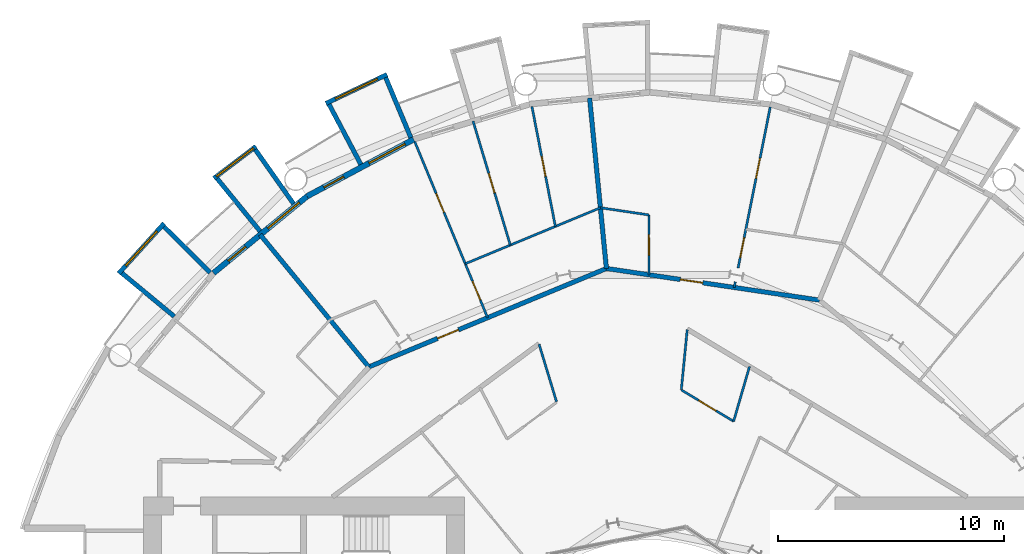
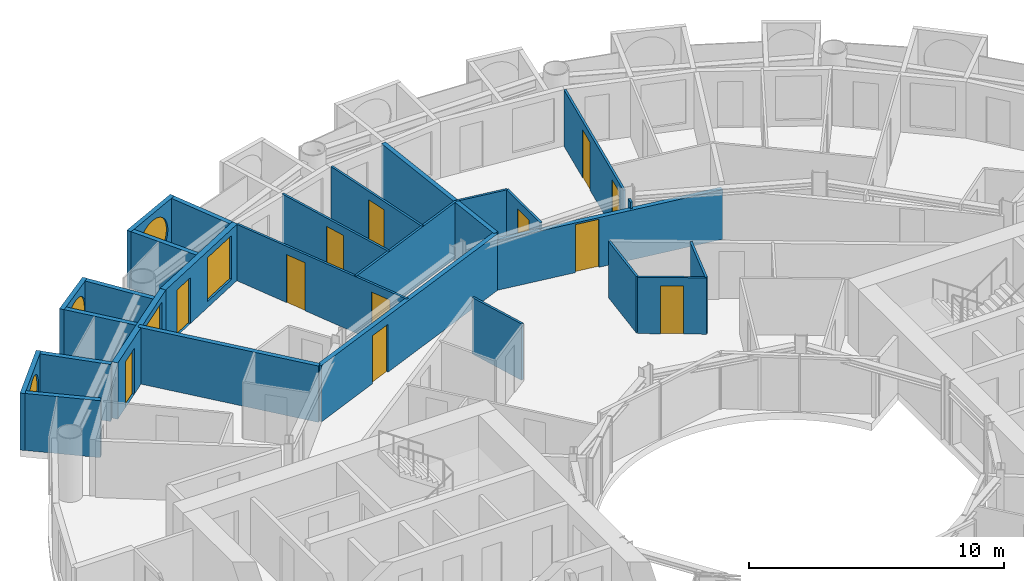
# One storey, part 19 of 26: 27 walls, 12 doors, 5 windows, 17 openings.
"""IFC4 building model written with IfcOpenShell, lengths in metres."""

from ifc_helpers import new_model, si_unit, direction, frame, frame_2d, origin, place, context, subcontext, project, spatial, rectangle, circle, extrude, material, layer, layer_set, type_object, element, fill, save


model = new_model("IFC4")

# Units and contexts
model_context = context("Model", 3, precision=1e-05, world=origin(), true_north=direction((0.0, 1.0)))
body_context = subcontext(model_context, "Body", "Model", "MODEL_VIEW")
ifc_project = project(units=[si_unit("LENGTHUNIT", "METRE"), si_unit("AREAUNIT", "SQUARE_METRE"), si_unit("VOLUMEUNIT", "CUBIC_METRE"), si_unit("PLANEANGLEUNIT", "RADIAN"), si_unit("MASSUNIT", "GRAM", prefix="KILO")], contexts=[model_context])

# Site, building, storey
site_placement = place(None, origin())
site = spatial("IfcSite", under=ifc_project, at=site_placement, CompositionType="ELEMENT")
building_placement = place(site_placement, origin())
building = spatial("IfcBuilding", under=site, at=building_placement, Name="Maasbend Ring Residences", CompositionType="ELEMENT")
storey_placement = place(building_placement, frame((0.0, 0.0, 47.199951171875)))
storey = spatial("IfcBuildingStorey", under=building, at=storey_placement, Name="L13", CompositionType="ELEMENT", Elevation=47.199951171875)

# Wall, opening, door
ifc_material_1 = material(Name="Concrete C30/37", Category="concrete")
ifc_layer_1 = layer(ifc_material_1, 0.199951171875)
ifc_layer_set_1 = layer_set([ifc_layer_1], Name="Concrete C30/37")
wall_type_1 = type_object("IfcWallType", Name="CORRIDOR WALL 200 CONCRETE", PredefinedType="PARTITIONING", material=ifc_layer_set_1)
wall_1_placement = place(storey_placement, frame((-12.43505859375, 15.14990234375, 0.0), z_axis=(0.0, 0.0, 1.0), x_axis=(0.923845560554, 0.38276543763, 0.0)))
wall_1 = element("IfcWall", 1, at=wall_1_placement, inside=storey, type_object=wall_type_1, Name="U-L13-w092", PredefinedType="PARTITIONING", context=body_context, shape_type="SweptSolid", body=[
    extrude(rectangle(XDim=11.380859375, YDim=0.199951171875, at=frame_2d((5.6904296875, 0.0))), origin(), (0.0, 0.0, 1.0), 2.699951171875),
])
opening_1_placement = place(wall_1_placement, frame((3.29296875, 0.0, 0.0)))
opening_1 = element("IfcOpeningElement", 2, at=opening_1_placement, cuts=wall_1, Name="Opening D-1312", PredefinedType="OPENING", context=body_context, shape_type="SweptSolid", body=[
    extrude(rectangle(XDim=1.0, YDim=2.300048828125, at=frame_2d((0.5, 1.14990234375))), frame((0.0, 0.10986328125, 0.0), z_axis=(0.0, -1.0, 0.0), x_axis=(1.0, 0.0, 0.0)), (0.0, 0.0, 1.0), 0.219970703125),
])
ifc_material_2 = material(Name="Timber, fire-rated, painted", Category="wood")
door_type_1 = type_object("IfcDoorType", Name="FLAT ENTRANCE DOOR 1000 X 2300 FIRE-RATED", OperationType="NOTDEFINED", PredefinedType="DOOR", material=ifc_material_2)
door_1_placement = place(opening_1_placement, origin())
door_1 = element("IfcDoor", 3, at=door_1_placement, inside=storey, type_object=door_type_1, Name="D-1312", OperationType="SINGLE_SWING_LEFT", OverallHeight=2.300048828125, OverallWidth=1.0, PredefinedType="DOOR", context=body_context, shape_type="SweptSolid", body=[
    extrude(rectangle(XDim=1.0, YDim=2.300048828125, at=frame_2d((0.5, 1.14990234375))), frame((0.0, 0.02490234375, 0.0), z_axis=(0.0, -1.0, 0.0), x_axis=(1.0, 0.0, 0.0)), (0.0, 0.0, 1.0), 0.050048828125),
])
fill(opening_1, door_1)

wall_2_placement = place(storey_placement, frame((-1.9208984375, 19.506103515625, 0.0), z_axis=(0.0, 0.0, 1.0), x_axis=(0.989134446023, -0.147013767014, 0.0)))
wall_2 = element("IfcWall", 4, at=wall_2_placement, inside=storey, type_object=wall_type_1, Name="U-L13-w094", PredefinedType="PARTITIONING", context=body_context, shape_type="SweptSolid", body=[
    extrude(rectangle(XDim=9.530517578125, YDim=0.199951171875, at=frame_2d((4.76513671875, 0.0))), origin(), (0.0, 0.0, 1.0), 2.380126953125),
])
opening_2_placement = place(wall_2_placement, frame((3.31005859375, 0.0, 0.0)))
opening_2 = element("IfcOpeningElement", 5, at=opening_2_placement, cuts=wall_2, Name="Opening D-1307", PredefinedType="OPENING", context=body_context, shape_type="SweptSolid", body=[
    extrude(rectangle(XDim=1.0, YDim=2.300048828125, at=frame_2d((0.5, 1.14990234375))), frame((0.0, 0.10986328125, 0.0), z_axis=(0.0, -1.0, 0.0), x_axis=(1.0, 0.0, 0.0)), (0.0, 0.0, 1.0), 0.219970703125),
])
door_2_placement = place(opening_2_placement, origin())
door_2 = element("IfcDoor", 6, at=door_2_placement, inside=storey, type_object=door_type_1, Name="D-1307", OperationType="SINGLE_SWING_LEFT", OverallHeight=2.300048828125, OverallWidth=1.0, PredefinedType="DOOR", context=body_context, shape_type="SweptSolid", body=[
    extrude(rectangle(XDim=1.0, YDim=2.300048828125, at=frame_2d((0.5, 1.14990234375))), frame((0.0, 0.02490234375, 0.0), z_axis=(0.0, -1.0, 0.0), x_axis=(1.0, 0.0, 0.0)), (0.0, 0.0, 1.0), 0.050048828125),
])
fill(opening_2, door_2)

# Wall, opening, window
ifc_material_3 = material(Name="Pale anodised aluminium panel", Category="aluminium")
ifc_layer_2 = layer(ifc_material_3, 0.199951171875)
ifc_layer_set_2 = layer_set([ifc_layer_2], Name="EW-BOX")
wall_type_2 = type_object("IfcWallType", Name="EW-BOX", PredefinedType="SOLIDWALL", material=ifc_layer_set_2)
wall_3_placement = place(storey_placement, frame((-11.62890625, 28.087890625, -0.030029296875), z_axis=(0.0, 0.0, 1.0), x_axis=(-0.904000060331, -0.427532327342, 0.0)))
wall_3 = element("IfcWall", 7, at=wall_3_placement, inside=storey, type_object=wall_type_2, Name="Box front N15", PredefinedType="SOLIDWALL", context=body_context, shape_type="SweptSolid", body=[
    extrude(rectangle(XDim=2.993408203125, YDim=0.199951171875, at=frame_2d((1.49658203125, 0.0))), origin(), (0.0, 0.0, 1.0), 2.72998046875),
])
opening_3_placement = place(wall_3_placement, frame((0.45654296875, 0.0, 0.330078125)))
opening_3 = element("IfcOpeningElement", 8, at=opening_3_placement, cuts=wall_3, Name="Opening W-RD", PredefinedType="OPENING", context=body_context, shape_type="SweptSolid", body=[
    extrude(circle(Radius=1.0400390625, at=frame_2d((1.0400390625, 1.0400390625))), frame((0.0, 0.10986328125, 0.0), z_axis=(0.0, -1.0, 0.0), x_axis=(1.0, 0.0, 0.0)), (0.0, 0.0, 1.0), 0.219970703125),
])
ifc_material_4 = material(Name="Aluminium and clear glass", Category="aluminium")
window_type_1 = type_object("IfcWindowType", Name="W-RD", PartitioningType="SINGLE_PANEL", PredefinedType="WINDOW", material=ifc_material_4)
window_1_placement = place(opening_3_placement, origin())
window_1 = element("IfcWindow", 9, at=window_1_placement, inside=storey, type_object=window_type_1, Name="Round window N15", OverallHeight=2.080078125, OverallWidth=2.080078125, PartitioningType="SINGLE_PANEL", PredefinedType="WINDOW", context=body_context, shape_type="SweptSolid", body=[
    extrude(circle(Radius=1.0400390625, at=frame_2d((1.0400390625, 1.0400390625))), frame((0.0, 0.030029296875, 0.0), z_axis=(0.0, -1.0, 0.0), x_axis=(1.0, 0.0, 0.0)), (0.0, 0.0, 1.0), 0.06005859375),
])
fill(opening_3, window_1)

# Walls
wall_4_placement = place(storey_placement, frame((-10.574951171875, 25.294921875, -0.030029296875), z_axis=(0.0, 0.0, 1.0), x_axis=(-0.385697364644, 0.922625353492, 0.0)))
element("IfcWall", 10, at=wall_4_placement, inside=storey, type_object=wall_type_2, Name="Box side wall N15 left", PredefinedType="SOLIDWALL", context=body_context, shape_type="SweptSolid", body=[
    extrude(rectangle(XDim=2.88330078125, YDim=0.199951171875, at=frame_2d((1.441650390625, 0.0))), origin(), (0.0, 0.0, 1.0), 2.72998046875),
])
wall_5_placement = place(storey_placement, frame((-12.787109375, 24.113037109375, -0.030029296875), z_axis=(0.0, 0.0, 1.0), x_axis=(-0.468365282436, 0.883534924159, 0.0)))
element("IfcWall", 11, at=wall_5_placement, inside=storey, type_object=wall_type_2, Name="Box side wall N15 right", PredefinedType="SOLIDWALL", context=body_context, shape_type="SweptSolid", body=[
    extrude(rectangle(XDim=3.006103515625, YDim=0.199951171875, at=frame_2d((1.5029296875, 0.0))), origin(), (0.0, 0.0, 1.0), 2.72998046875),
])

# Wall, opening, window
wall_6_placement = place(storey_placement, frame((-17.427001953125, 24.908935546875, -0.030029296875), z_axis=(0.0, 0.0, 1.0), x_axis=(-0.796842165306, -0.60418752353, 0.0)))
wall_6 = element("IfcWall", 12, at=wall_6_placement, inside=storey, type_object=wall_type_2, Name="Box front N17", PredefinedType="SOLIDWALL", context=body_context, shape_type="SweptSolid", body=[
    extrude(rectangle(XDim=2.3369140625, YDim=0.199951171875, at=frame_2d((1.16845703125, 0.0))), origin(), (0.0, 0.0, 1.0), 2.72998046875),
])
opening_4_placement = place(wall_6_placement, frame((0.128173828125, 0.0, 0.330078125)))
opening_4 = element("IfcOpeningElement", 13, at=opening_4_placement, cuts=wall_6, Name="Opening W-RD", PredefinedType="OPENING", context=body_context, shape_type="SweptSolid", body=[
    extrude(circle(Radius=1.0400390625, at=frame_2d((1.0400390625, 1.0400390625))), frame((0.0, 0.10986328125, 0.0), z_axis=(0.0, -1.0, 0.0), x_axis=(1.0, 0.0, 0.0)), (0.0, 0.0, 1.0), 0.219970703125),
])
window_2_placement = place(opening_4_placement, origin())
window_2 = element("IfcWindow", 14, at=window_2_placement, inside=storey, type_object=window_type_1, Name="Round window N17", OverallHeight=2.080078125, OverallWidth=2.080078125, PartitioningType="SINGLE_PANEL", PredefinedType="WINDOW", context=body_context, shape_type="SweptSolid", body=[
    extrude(circle(Radius=1.0400390625, at=frame_2d((1.0400390625, 1.0400390625))), frame((0.0, 0.030029296875, 0.0), z_axis=(0.0, -1.0, 0.0), x_axis=(1.0, 0.0, 0.0)), (0.0, 0.0, 1.0), 0.06005859375),
])
fill(opening_4, window_2)

# Walls
wall_7_placement = place(storey_placement, frame((-15.764892578125, 22.3701171875, -0.030029296875), z_axis=(0.0, 0.0, 1.0), x_axis=(-0.576274612209, 0.817256123454, 0.0)))
element("IfcWall", 15, at=wall_7_placement, inside=storey, type_object=wall_type_2, Name="Box side wall N17 left", PredefinedType="SOLIDWALL", context=body_context, shape_type="SweptSolid", body=[
    extrude(rectangle(XDim=2.932861328125, YDim=0.199951171875, at=frame_2d((1.46630859375, 0.0))), origin(), (0.0, 0.0, 1.0), 2.72998046875),
])
wall_8_placement = place(storey_placement, frame((-17.24609375, 21.155029296875, -0.030029296875), z_axis=(0.0, 0.0, 1.0), x_axis=(-0.631741648902, 0.775179004516, 0.0)))
element("IfcWall", 16, at=wall_8_placement, inside=storey, type_object=wall_type_2, Name="Box side wall N17 right", PredefinedType="SOLIDWALL", context=body_context, shape_type="SweptSolid", body=[
    extrude(rectangle(XDim=3.005859375, YDim=0.199951171875, at=frame_2d((1.5029296875, 0.0))), origin(), (0.0, 0.0, 1.0), 2.72998046875),
])

# Wall, opening, window
wall_9_placement = place(storey_placement, frame((-21.492919921875, 21.5, -0.030029296875), z_axis=(0.0, 0.0, 1.0), x_axis=(-0.671506829416, -0.740998365753, 0.0)))
wall_9 = element("IfcWall", 17, at=wall_9_placement, inside=storey, type_object=wall_type_2, Name="Box front N19", PredefinedType="SOLIDWALL", context=body_context, shape_type="SweptSolid", body=[
    extrude(rectangle(XDim=2.9931640625, YDim=0.199951171875, at=frame_2d((1.49658203125, 0.0))), origin(), (0.0, 0.0, 1.0), 2.72998046875),
])
opening_5_placement = place(wall_9_placement, frame((0.45654296875, 0.0, 0.330078125)))
opening_5 = element("IfcOpeningElement", 18, at=opening_5_placement, cuts=wall_9, Name="Opening W-RD", PredefinedType="OPENING", context=body_context, shape_type="SweptSolid", body=[
    extrude(circle(Radius=1.0400390625, at=frame_2d((1.0400390625, 1.0400390625))), frame((0.0, 0.10986328125, 0.0), z_axis=(0.0, -1.0, 0.0), x_axis=(1.0, 0.0, 0.0)), (0.0, 0.0, 1.0), 0.219970703125),
])
window_3_placement = place(opening_5_placement, origin())
window_3 = element("IfcWindow", 19, at=window_3_placement, inside=storey, type_object=window_type_1, Name="Round window N19", OverallHeight=2.080078125, OverallWidth=2.080078125, PartitioningType="SINGLE_PANEL", PredefinedType="WINDOW", context=body_context, shape_type="SweptSolid", body=[
    extrude(circle(Radius=1.0400390625, at=frame_2d((1.0400390625, 1.0400390625))), frame((0.0, 0.030029296875, 0.0), z_axis=(0.0, -1.0, 0.0), x_axis=(1.0, 0.0, 0.0)), (0.0, 0.0, 1.0), 0.06005859375),
])
fill(opening_5, window_3)

# Walls
wall_10_placement = place(storey_placement, frame((-19.449951171875, 19.322998046875, -0.030029296875), z_axis=(0.0, 0.0, 1.0), x_axis=(-0.709727076896, 0.704476739375, 0.0)))
element("IfcWall", 20, at=wall_10_placement, inside=storey, type_object=wall_type_2, Name="Box side wall N19 left", PredefinedType="SOLIDWALL", context=body_context, shape_type="SweptSolid", body=[
    extrude(rectangle(XDim=2.883056640625, YDim=0.199951171875, at=frame_2d((1.44140625, 0.0))), origin(), (0.0, 0.0, 1.0), 2.72998046875),
])
wall_11_placement = place(storey_placement, frame((-21.041015625, 17.384033203125, -0.030029296875), z_axis=(0.0, 0.0, 1.0), x_axis=(-0.770784861449, 0.63709551667, 0.0)))
element("IfcWall", 21, at=wall_11_placement, inside=storey, type_object=wall_type_2, Name="Box side wall N19 right", PredefinedType="SOLIDWALL", context=body_context, shape_type="SweptSolid", body=[
    extrude(rectangle(XDim=3.005859375, YDim=0.199951171875, at=frame_2d((1.5029296875, 0.0))), origin(), (0.0, 0.0, 1.0), 2.72998046875),
])

# Wall, openings, door, window
ifc_material_5 = material(Name="Aluminium clad insulated panel", Category="aluminium")
ifc_layer_3 = layer(ifc_material_5, 0.25)
ifc_layer_set_3 = layer_set([ifc_layer_3], Name="EW-GL")
wall_type_3 = type_object("IfcWallType", Name="EW-GL", PredefinedType="SOLIDWALL", material=ifc_layer_set_3)
wall_12_placement = place(storey_placement, frame((-10.447021484375, 25.221923828125, 0.0), z_axis=(0.0, 0.0, 1.0), x_axis=(-0.881915646801, -0.471407246368, 0.0)))
wall_12 = element("IfcWall", 22, at=wall_12_placement, inside=storey, type_object=wall_type_3, Name="External wall N08", PredefinedType="SOLIDWALL", context=body_context, shape_type="SweptSolid", body=[
    extrude(rectangle(XDim=5.35205078125, YDim=0.25, at=frame_2d((2.676025390625, 0.0))), origin(), (0.0, 0.0, 1.0), 2.699951171875),
])
opening_6_placement = place(wall_12_placement, frame((0.441162109375, 0.0, 0.300048828125)))
opening_6 = element("IfcOpeningElement", 23, at=opening_6_placement, cuts=wall_12, Name="Opening W-BX", PredefinedType="OPENING", context=body_context, shape_type="SweptSolid", body=[
    extrude(rectangle(XDim=1.800048828125, YDim=2.10009765625, at=frame_2d((0.89990234375, 1.050048828125))), frame((0.0, 0.135009765625, 0.0), z_axis=(0.0, -1.0, 0.0), x_axis=(1.0, 0.0, 0.0)), (0.0, 0.0, 1.0), 0.27001953125),
])
opening_7_placement = place(wall_12_placement, frame((3.510498046875, 0.0, 0.0)))
opening_7 = element("IfcOpeningElement", 24, at=opening_7_placement, cuts=wall_12, Name="Opening D-LG", PredefinedType="OPENING", context=body_context, shape_type="SweptSolid", body=[
    extrude(rectangle(XDim=1.0, YDim=2.199951171875, at=frame_2d((0.5, 1.10009765625))), frame((0.0, 0.135009765625, 0.0), z_axis=(0.0, -1.0, 0.0), x_axis=(1.0, 0.0, 0.0)), (0.0, 0.0, 1.0), 0.27001953125),
])
ifc_material_6 = material(Name="Aluminium and clear glass", Category="aluminium")
door_type_2 = type_object("IfcDoorType", Name="D-LG", OperationType="SINGLE_SWING_LEFT", PredefinedType="DOOR", material=ifc_material_6)
door_3_placement = place(opening_7_placement, origin())
door_3 = element("IfcDoor", 25, at=door_3_placement, inside=storey, type_object=door_type_2, Name="Loggia door N16", OperationType="SINGLE_SWING_LEFT", OverallHeight=2.199951171875, OverallWidth=1.0, PredefinedType="DOOR", context=body_context, shape_type="SweptSolid", body=[
    extrude(rectangle(XDim=1.0, YDim=2.199951171875, at=frame_2d((0.5, 1.10009765625))), frame((0.0, 0.02490234375, 0.0), z_axis=(0.0, -1.0, 0.0), x_axis=(1.0, 0.0, 0.0)), (0.0, 0.0, 1.0), 0.050048828125),
])
fill(opening_7, door_3)
ifc_material_7 = material(Name="Aluminium and clear glass", Category="aluminium")
window_type_2 = type_object("IfcWindowType", Name="W-BX", PartitioningType="DOUBLE_PANEL_VERTICAL", PredefinedType="WINDOW", material=ifc_material_7)
window_4_placement = place(opening_6_placement, origin())
window_4 = element("IfcWindow", 26, at=window_4_placement, inside=storey, type_object=window_type_2, Name="Window N15 room to box", OverallHeight=2.10009765625, OverallWidth=1.800048828125, PartitioningType="SINGLE_PANEL", PredefinedType="WINDOW", context=body_context, shape_type="SweptSolid", body=[
    extrude(rectangle(XDim=1.800048828125, YDim=2.10009765625, at=frame_2d((0.89990234375, 1.050048828125))), frame((0.0, 0.030029296875, 0.0), z_axis=(0.0, -1.0, 0.0), x_axis=(1.0, 0.0, 0.0)), (0.0, 0.0, 1.0), 0.06005859375),
])
fill(opening_6, window_4)

wall_13_placement = place(storey_placement, frame((-15.1669921875, 22.698974609375, 0.0), z_axis=(0.0, 0.0, 1.0), x_axis=(-0.773019449054, -0.634382322723, 0.0)))
wall_13 = element("IfcWall", 27, at=wall_13_placement, inside=storey, type_object=wall_type_3, Name="External wall N09", PredefinedType="SOLIDWALL", context=body_context, shape_type="SweptSolid", body=[
    extrude(rectangle(XDim=5.351806640625, YDim=0.25, at=frame_2d((2.67578125, 0.0))), origin(), (0.0, 0.0, 1.0), 2.699951171875),
])
opening_8_placement = place(wall_13_placement, frame((0.441162109375, 0.0, 0.300048828125)))
opening_8 = element("IfcOpeningElement", 28, at=opening_8_placement, cuts=wall_13, Name="Opening W-BX", PredefinedType="OPENING", context=body_context, shape_type="SweptSolid", body=[
    extrude(rectangle(XDim=1.800048828125, YDim=2.10009765625, at=frame_2d((0.89990234375, 1.050048828125))), frame((0.0, 0.135009765625, 0.0), z_axis=(0.0, -1.0, 0.0), x_axis=(1.0, 0.0, 0.0)), (0.0, 0.0, 1.0), 0.27001953125),
])
opening_9_placement = place(wall_13_placement, frame((3.510498046875, 0.0, 0.0)))
opening_9 = element("IfcOpeningElement", 29, at=opening_9_placement, cuts=wall_13, Name="Opening D-LG", PredefinedType="OPENING", context=body_context, shape_type="SweptSolid", body=[
    extrude(rectangle(XDim=1.0, YDim=2.199951171875, at=frame_2d((0.5, 1.10009765625))), frame((0.0, 0.135009765625, 0.0), z_axis=(0.0, -1.0, 0.0), x_axis=(1.0, 0.0, 0.0)), (0.0, 0.0, 1.0), 0.27001953125),
])
door_4_placement = place(opening_9_placement, origin())
door_4 = element("IfcDoor", 30, at=door_4_placement, inside=storey, type_object=door_type_2, Name="Loggia door N18", OperationType="SINGLE_SWING_LEFT", OverallHeight=2.199951171875, OverallWidth=1.0, PredefinedType="DOOR", context=body_context, shape_type="SweptSolid", body=[
    extrude(rectangle(XDim=1.0, YDim=2.199951171875, at=frame_2d((0.5, 1.10009765625))), frame((0.0, 0.02490234375, 0.0), z_axis=(0.0, -1.0, 0.0), x_axis=(1.0, 0.0, 0.0)), (0.0, 0.0, 1.0), 0.050048828125),
])
fill(opening_9, door_4)
window_5_placement = place(opening_8_placement, origin())
window_5 = element("IfcWindow", 31, at=window_5_placement, inside=storey, type_object=window_type_2, Name="Window N17 room to box", OverallHeight=2.10009765625, OverallWidth=1.800048828125, PartitioningType="SINGLE_PANEL", PredefinedType="WINDOW", context=body_context, shape_type="SweptSolid", body=[
    extrude(rectangle(XDim=1.800048828125, YDim=2.10009765625, at=frame_2d((0.89990234375, 1.050048828125))), frame((0.0, 0.030029296875, 0.0), z_axis=(0.0, -1.0, 0.0), x_axis=(1.0, 0.0, 0.0)), (0.0, 0.0, 1.0), 0.06005859375),
])
fill(opening_8, window_5)

# Wall, openings, doors
ifc_material_8 = material(Name="Gypsum board on steel studs", Category="steel")
ifc_layer_4 = layer(ifc_material_8, 0.10009765625)
ifc_layer_set_4 = layer_set([ifc_layer_4], Name="PARTITION 100 GYPSUM")
wall_type_4 = type_object("IfcWallType", Name="PARTITION 100 GYPSUM", PredefinedType="PARTITIONING", material=ifc_layer_set_4)
wall_14_placement = place(storey_placement, frame((-10.39794921875, 25.10693359375, 0.0), z_axis=(0.0, 0.0, 1.0), x_axis=(0.382458509789, -0.923972666419, 0.0)))
wall_14 = element("IfcWall", 32, at=wall_14_placement, inside=storey, type_object=wall_type_4, Name="U-L13-w031", PredefinedType="PARTITIONING", context=body_context, shape_type="SweptSolid", body=[
    extrude(rectangle(XDim=8.419189453125, YDim=0.10009765625, at=frame_2d((4.20947265625, 0.0))), origin(), (0.0, 0.0, 1.0), 2.699951171875),
])
opening_10_placement = place(wall_14_placement, frame((6.677001953125, 0.0, 0.0)))
opening_10 = element("IfcOpeningElement", 33, at=opening_10_placement, cuts=wall_14, Name="Opening D-1314", PredefinedType="OPENING", context=body_context, shape_type="SweptSolid", body=[
    extrude(rectangle(XDim=0.89990234375, YDim=2.300048828125, at=frame_2d((0.449951171875, 1.14990234375))), frame((0.0, 0.06005859375, 0.0), z_axis=(0.0, -1.0, 0.0), x_axis=(1.0, 0.0, 0.0)), (0.0, 0.0, 1.0), 0.1201171875),
])
opening_11_placement = place(wall_14_placement, frame((2.468017578125, 0.0, 0.0)))
opening_11 = element("IfcOpeningElement", 34, at=opening_11_placement, cuts=wall_14, Name="Opening D-1315", PredefinedType="OPENING", context=body_context, shape_type="SweptSolid", body=[
    extrude(rectangle(XDim=0.89990234375, YDim=2.300048828125, at=frame_2d((0.449951171875, 1.14990234375))), frame((0.0, 0.06005859375, 0.0), z_axis=(0.0, -1.0, 0.0), x_axis=(1.0, 0.0, 0.0)), (0.0, 0.0, 1.0), 0.1201171875),
])
ifc_material_9 = material(Name="Timber, painted", Category="wood")
door_type_3 = type_object("IfcDoorType", Name="INTERNAL DOOR 900 X 2300", OperationType="NOTDEFINED", PredefinedType="DOOR", material=ifc_material_9)
door_5_placement = place(opening_10_placement, origin())
door_5 = element("IfcDoor", 35, at=door_5_placement, inside=storey, type_object=door_type_3, Name="D-1314", OperationType="SINGLE_SWING_RIGHT", OverallHeight=2.300048828125, OverallWidth=0.89990234375, PredefinedType="DOOR", context=body_context, shape_type="SweptSolid", body=[
    extrude(rectangle(XDim=0.89990234375, YDim=2.300048828125, at=frame_2d((0.449951171875, 1.14990234375))), frame((0.0, 0.02490234375, 0.0), z_axis=(0.0, -1.0, 0.0), x_axis=(1.0, 0.0, 0.0)), (0.0, 0.0, 1.0), 0.050048828125),
])
fill(opening_10, door_5)
door_6_placement = place(opening_11_placement, origin())
door_6 = element("IfcDoor", 36, at=door_6_placement, inside=storey, type_object=door_type_3, Name="D-1315", OperationType="SINGLE_SWING_LEFT", OverallHeight=2.300048828125, OverallWidth=0.89990234375, PredefinedType="DOOR", context=body_context, shape_type="SweptSolid", body=[
    extrude(rectangle(XDim=0.89990234375, YDim=2.300048828125, at=frame_2d((0.449951171875, 1.14990234375))), frame((0.0, 0.02490234375, 0.0), z_axis=(0.0, -1.0, 0.0), x_axis=(1.0, 0.0, 0.0)), (0.0, 0.0, 1.0), 0.050048828125),
])
fill(opening_11, door_6)

# Wall, opening, door
wall_15_placement = place(storey_placement, frame((-7.821044921875, 26.02490234375, 0.0), z_axis=(0.0, 0.0, 1.0), x_axis=(0.287793773423, -0.957692405723, 0.0)))
wall_15 = element("IfcWall", 37, at=wall_15_placement, inside=storey, type_object=wall_type_4, Name="U-L13-w046", PredefinedType="PARTITIONING", context=body_context, shape_type="SweptSolid", body=[
    extrude(rectangle(XDim=5.72607421875, YDim=0.10009765625, at=frame_2d((2.863037109375, 0.0))), origin(), (0.0, 0.0, 1.0), 2.699951171875),
])
opening_12_placement = place(wall_15_placement, frame((2.4130859375, 0.0, 0.0)))
opening_12 = element("IfcOpeningElement", 38, at=opening_12_placement, cuts=wall_15, Name="Opening D-1316", PredefinedType="OPENING", context=body_context, shape_type="SweptSolid", body=[
    extrude(rectangle(XDim=0.89990234375, YDim=2.300048828125, at=frame_2d((0.449951171875, 1.14990234375))), frame((0.0, 0.06005859375, 0.0), z_axis=(0.0, -1.0, 0.0), x_axis=(1.0, 0.0, 0.0)), (0.0, 0.0, 1.0), 0.1201171875),
])
door_7_placement = place(opening_12_placement, origin())
door_7 = element("IfcDoor", 39, at=door_7_placement, inside=storey, type_object=door_type_3, Name="D-1316", OperationType="SINGLE_SWING_LEFT", OverallHeight=2.300048828125, OverallWidth=0.89990234375, PredefinedType="DOOR", context=body_context, shape_type="SweptSolid", body=[
    extrude(rectangle(XDim=0.89990234375, YDim=2.300048828125, at=frame_2d((0.449951171875, 1.14990234375))), frame((0.0, 0.02490234375, 0.0), z_axis=(0.0, -1.0, 0.0), x_axis=(1.0, 0.0, 0.0)), (0.0, 0.0, 1.0), 0.050048828125),
])
fill(opening_12, door_7)

wall_16_placement = place(storey_placement, frame((-5.217041015625, 26.669921875, 0.0), z_axis=(0.0, 0.0, 1.0), x_axis=(0.192109041462, -0.981373586453, 0.0)))
wall_16 = element("IfcWall", 40, at=wall_16_placement, inside=storey, type_object=wall_type_4, Name="U-L13-w050", PredefinedType="PARTITIONING", context=body_context, shape_type="SweptSolid", body=[
    extrude(rectangle(XDim=5.403564453125, YDim=0.10009765625, at=frame_2d((2.70166015625, 0.0))), origin(), (0.0, 0.0, 1.0), 2.699951171875),
])
opening_13_placement = place(wall_16_placement, frame((2.251953125, 0.0, 0.0)))
opening_13 = element("IfcOpeningElement", 41, at=opening_13_placement, cuts=wall_16, Name="Opening D-1317", PredefinedType="OPENING", context=body_context, shape_type="SweptSolid", body=[
    extrude(rectangle(XDim=0.89990234375, YDim=2.300048828125, at=frame_2d((0.449951171875, 1.14990234375))), frame((0.0, 0.06005859375, 0.0), z_axis=(0.0, -1.0, 0.0), x_axis=(1.0, 0.0, 0.0)), (0.0, 0.0, 1.0), 0.1201171875),
])
door_8_placement = place(opening_13_placement, origin())
door_8 = element("IfcDoor", 42, at=door_8_placement, inside=storey, type_object=door_type_3, Name="D-1317", OperationType="SINGLE_SWING_RIGHT", OverallHeight=2.300048828125, OverallWidth=0.89990234375, PredefinedType="DOOR", context=body_context, shape_type="SweptSolid", body=[
    extrude(rectangle(XDim=0.89990234375, YDim=2.300048828125, at=frame_2d((0.449951171875, 1.14990234375))), frame((0.0, 0.02490234375, 0.0), z_axis=(0.0, -1.0, 0.0), x_axis=(1.0, 0.0, 0.0)), (0.0, 0.0, 1.0), 0.050048828125),
])
fill(opening_13, door_8)

wall_17_placement = place(storey_placement, frame((-0.037109375, 19.22607421875, 0.0), z_axis=(0.0, 0.0, 1.0), x_axis=(-0.001843314841, 0.999998301094, 0.0)))
wall_17 = element("IfcWall", 43, at=wall_17_placement, inside=storey, type_object=wall_type_4, Name="U-L13-w053", PredefinedType="PARTITIONING", context=body_context, shape_type="SweptSolid", body=[
    extrude(rectangle(XDim=2.64892578125, YDim=0.10009765625, at=frame_2d((1.324462890625, 0.0))), origin(), (0.0, 0.0, 1.0), 2.699951171875),
])
opening_14_placement = place(wall_17_placement, frame((0.875, 0.0, 0.0)))
opening_14 = element("IfcOpeningElement", 44, at=opening_14_placement, cuts=wall_17, Name="Opening D-1308", PredefinedType="OPENING", context=body_context, shape_type="SweptSolid", body=[
    extrude(rectangle(XDim=0.89990234375, YDim=2.300048828125, at=frame_2d((0.449951171875, 1.14990234375))), frame((0.0, 0.06005859375, 0.0), z_axis=(0.0, -1.0, 0.0), x_axis=(1.0, 0.0, 0.0)), (0.0, 0.0, 1.0), 0.1201171875),
])
door_9_placement = place(opening_14_placement, origin())
door_9 = element("IfcDoor", 45, at=door_9_placement, inside=storey, type_object=door_type_3, Name="D-1308", OperationType="SINGLE_SWING_RIGHT", OverallHeight=2.300048828125, OverallWidth=0.89990234375, PredefinedType="DOOR", context=body_context, shape_type="SweptSolid", body=[
    extrude(rectangle(XDim=0.89990234375, YDim=2.300048828125, at=frame_2d((0.449951171875, 1.14990234375))), frame((0.0, 0.02490234375, 0.0), z_axis=(0.0, -1.0, 0.0), x_axis=(1.0, 0.0, 0.0)), (0.0, 0.0, 1.0), 0.050048828125),
])
fill(opening_14, door_9)

# Walls
wall_18_placement = place(storey_placement, frame((3.7060546875, 12.743896484375, 0.0), z_axis=(0.0, 0.0, 1.0), x_axis=(0.279201466266, 0.960232545395, 0.0)))
element("IfcWall", 46, at=wall_18_placement, inside=storey, type_object=wall_type_4, Name="U-L13-w059", PredefinedType="PARTITIONING", context=body_context, shape_type="SweptSolid", body=[
    extrude(rectangle(XDim=2.5244140625, YDim=0.10009765625, at=frame_2d((1.26220703125, 0.0))), origin(), (0.0, 0.0, 1.0), 2.699951171875),
])
wall_19_placement = place(storey_placement, frame((3.73291015625, 18.6669921875, 0.0), z_axis=(0.0, 0.0, 1.0), x_axis=(0.193340656307, 0.981131688724, 0.0)))
element("IfcWall", 47, at=wall_19_placement, inside=storey, type_object=wall_type_4, Name="U-L13-w060", PredefinedType="PARTITIONING", context=body_context, shape_type="SweptSolid", body=[
    extrude(rectangle(XDim=0.25390625, YDim=0.10009765625, at=frame_2d((0.126953125, 0.0))), origin(), (0.0, 0.0, 1.0), 2.699951171875),
])

# Wall, openings, doors
wall_20_placement = place(storey_placement, frame((3.904052734375, 19.52392578125, 0.0), z_axis=(0.0, 0.0, 1.0), x_axis=(0.195857618189, 0.980632343642, 0.0)))
wall_20 = element("IfcWall", 48, at=wall_20_placement, inside=storey, type_object=wall_type_4, Name="U-L13-w061", PredefinedType="PARTITIONING", context=body_context, shape_type="SweptSolid", body=[
    extrude(rectangle(XDim=7.2646484375, YDim=0.10009765625, at=frame_2d((3.63232421875, 0.0))), origin(), (0.0, 0.0, 1.0), 2.699951171875),
])
opening_15_placement = place(wall_20_placement, frame((0.47607421875, 0.0, 0.0)))
opening_15 = element("IfcOpeningElement", 49, at=opening_15_placement, cuts=wall_20, Name="Opening D-1309", PredefinedType="OPENING", context=body_context, shape_type="SweptSolid", body=[
    extrude(rectangle(XDim=0.89990234375, YDim=2.300048828125, at=frame_2d((0.449951171875, 1.14990234375))), frame((0.0, 0.06005859375, 0.0), z_axis=(0.0, -1.0, 0.0), x_axis=(1.0, 0.0, 0.0)), (0.0, 0.0, 1.0), 0.1201171875),
])
opening_16_placement = place(wall_20_placement, frame((4.05810546875, 0.0, 0.0)))
opening_16 = element("IfcOpeningElement", 50, at=opening_16_placement, cuts=wall_20, Name="Opening D-1310", PredefinedType="OPENING", context=body_context, shape_type="SweptSolid", body=[
    extrude(rectangle(XDim=0.89990234375, YDim=2.300048828125, at=frame_2d((0.449951171875, 1.14990234375))), frame((0.0, 0.06005859375, 0.0), z_axis=(0.0, -1.0, 0.0), x_axis=(1.0, 0.0, 0.0)), (0.0, 0.0, 1.0), 0.1201171875),
])
door_10_placement = place(opening_15_placement, origin())
door_10 = element("IfcDoor", 51, at=door_10_placement, inside=storey, type_object=door_type_3, Name="D-1309", OperationType="SINGLE_SWING_LEFT", OverallHeight=2.300048828125, OverallWidth=0.89990234375, PredefinedType="DOOR", context=body_context, shape_type="SweptSolid", body=[
    extrude(rectangle(XDim=0.89990234375, YDim=2.300048828125, at=frame_2d((0.449951171875, 1.14990234375))), frame((0.0, 0.02490234375, 0.0), z_axis=(0.0, -1.0, 0.0), x_axis=(1.0, 0.0, 0.0)), (0.0, 0.0, 1.0), 0.050048828125),
])
fill(opening_15, door_10)
door_11_placement = place(opening_16_placement, origin())
door_11 = element("IfcDoor", 52, at=door_11_placement, inside=storey, type_object=door_type_3, Name="D-1310", OperationType="SINGLE_SWING_RIGHT", OverallHeight=2.300048828125, OverallWidth=0.89990234375, PredefinedType="DOOR", context=body_context, shape_type="SweptSolid", body=[
    extrude(rectangle(XDim=0.89990234375, YDim=2.300048828125, at=frame_2d((0.449951171875, 1.14990234375))), frame((0.0, 0.02490234375, 0.0), z_axis=(0.0, -1.0, 0.0), x_axis=(1.0, 0.0, 0.0)), (0.0, 0.0, 1.0), 0.050048828125),
])
fill(opening_16, door_11)

# Wall, opening, door
wall_21_placement = place(storey_placement, frame((1.39208984375, 14.132080078125, 0.0), z_axis=(0.0, 0.0, 1.0), x_axis=(0.857524856518, -0.514442533674, 0.0)))
wall_21 = element("IfcWall", 53, at=wall_21_placement, inside=storey, type_object=wall_type_4, Name="U-L13-w086", PredefinedType="PARTITIONING", context=body_context, shape_type="SweptSolid", body=[
    extrude(rectangle(XDim=2.698486328125, YDim=0.10009765625, at=frame_2d((1.34912109375, 0.0))), origin(), (0.0, 0.0, 1.0), 2.699951171875),
])
opening_17_placement = place(wall_21_placement, frame((0.89892578125, 0.0, 0.0)))
opening_17 = element("IfcOpeningElement", 54, at=opening_17_placement, cuts=wall_21, Name="Opening D-1322", PredefinedType="OPENING", context=body_context, shape_type="SweptSolid", body=[
    extrude(rectangle(XDim=0.89990234375, YDim=2.300048828125, at=frame_2d((0.449951171875, 1.14990234375))), frame((0.0, 0.06005859375, 0.0), z_axis=(0.0, -1.0, 0.0), x_axis=(1.0, 0.0, 0.0)), (0.0, 0.0, 1.0), 0.1201171875),
])
door_12_placement = place(opening_17_placement, origin())
door_12 = element("IfcDoor", 55, at=door_12_placement, inside=storey, type_object=door_type_3, Name="D-1322", OperationType="SINGLE_SWING_RIGHT", OverallHeight=2.300048828125, OverallWidth=0.89990234375, PredefinedType="DOOR", context=body_context, shape_type="SweptSolid", body=[
    extrude(rectangle(XDim=0.89990234375, YDim=2.300048828125, at=frame_2d((0.449951171875, 1.14990234375))), frame((0.0, 0.02490234375, 0.0), z_axis=(0.0, -1.0, 0.0), x_axis=(1.0, 0.0, 0.0)), (0.0, 0.0, 1.0), 0.050048828125),
])
fill(opening_17, door_12)

# Walls
wall_22_placement = place(storey_placement, frame((-8.166015625, 19.715087890625, 0.0), z_axis=(0.0, 0.0, 1.0), x_axis=(0.923844914631, 0.382766996632, 0.0)))
element("IfcWall", 56, at=wall_22_placement, inside=storey, type_object=wall_type_4, Name="U-L13-w097", PredefinedType="PARTITIONING", context=body_context, shape_type="SweptSolid", body=[
    extrude(rectangle(XDim=6.473876953125, YDim=0.10009765625, at=frame_2d((3.23681640625, 0.0))), origin(), (0.0, 0.0, 1.0), 2.699951171875),
])
wall_23_placement = place(storey_placement, frame((-2.18603515625, 22.193115234375, 0.0), z_axis=(0.0, 0.0, 1.0), x_axis=(0.989171386505, -0.146765009863, 0.0)))
element("IfcWall", 57, at=wall_23_placement, inside=storey, type_object=wall_type_4, Name="U-L13-w100", PredefinedType="PARTITIONING", context=body_context, shape_type="SweptSolid", body=[
    extrude(rectangle(XDim=2.16748046875, YDim=0.10009765625, at=frame_2d((1.083740234375, 0.0))), origin(), (0.0, 0.0, 1.0), 2.699951171875),
])
wall_24_placement = place(storey_placement, frame((1.39404296875, 14.154052734375, 0.0), z_axis=(0.0, 0.0, 1.0), x_axis=(0.097901702875, 0.995196089509, 0.0)))
element("IfcWall", 58, at=wall_24_placement, inside=storey, type_object=wall_type_4, Name="U-L13-w106", PredefinedType="PARTITIONING", context=body_context, shape_type="SweptSolid", body=[
    extrude(rectangle(XDim=2.65576171875, YDim=0.10009765625, at=frame_2d((1.327880859375, 0.0))), origin(), (0.0, 0.0, 1.0), 2.699951171875),
])
wall_25_placement = place(storey_placement, frame((-4.89990234375, 16.152099609375, 0.0), z_axis=(0.0, 0.0, 1.0), x_axis=(0.290456070925, -0.956888327269, 0.0)))
element("IfcWall", 59, at=wall_25_placement, inside=storey, type_object=wall_type_4, Name="U-L13-w107", PredefinedType="PARTITIONING", context=body_context, shape_type="SweptSolid", body=[
    extrude(rectangle(XDim=2.65771484375, YDim=0.10009765625, at=frame_2d((1.328857421875, 0.0))), origin(), (0.0, 0.0, 1.0), 2.699951171875),
])
ifc_material_10 = material(Name="Concrete C30/37", Category="concrete")
ifc_layer_5 = layer(ifc_material_10, 0.199951171875)
ifc_layer_set_5 = layer_set([ifc_layer_5], Name="Concrete C30/37")
wall_type_5 = type_object("IfcWallType", Name="PARTY WALL 200 CONCRETE", PredefinedType="PARTITIONING", material=ifc_layer_set_5)
wall_26_placement = place(storey_placement, frame((-17.242919921875, 21.0048828125, 0.0), z_axis=(0.0, 0.0, 1.0), x_axis=(0.63447412651, -0.772944100689, 0.0)))
element("IfcWall", 60, at=wall_26_placement, inside=storey, type_object=wall_type_5, Name="U-L13-w036", PredefinedType="PARTITIONING", context=body_context, shape_type="SweptSolid", body=[
    extrude(rectangle(XDim=7.576171875, YDim=0.199951171875, at=frame_2d((3.7880859375, 0.0))), origin(), (0.0, 0.0, 1.0), 2.699951171875),
])
wall_27_placement = place(storey_placement, frame((-2.6650390625, 27.0439453125, 0.0), z_axis=(0.0, 0.0, 1.0), x_axis=(0.098083473227, -0.99517819122, 0.0)))
element("IfcWall", 61, at=wall_27_placement, inside=storey, type_object=wall_type_5, Name="U-L13-w051", PredefinedType="PARTITIONING", context=body_context, shape_type="SweptSolid", body=[
    extrude(rectangle(XDim=7.574462890625, YDim=0.199951171875, at=frame_2d((3.787109375, 0.0))), origin(), (0.0, 0.0, 1.0), 2.699951171875),
])

save(model, "model.ifc")
